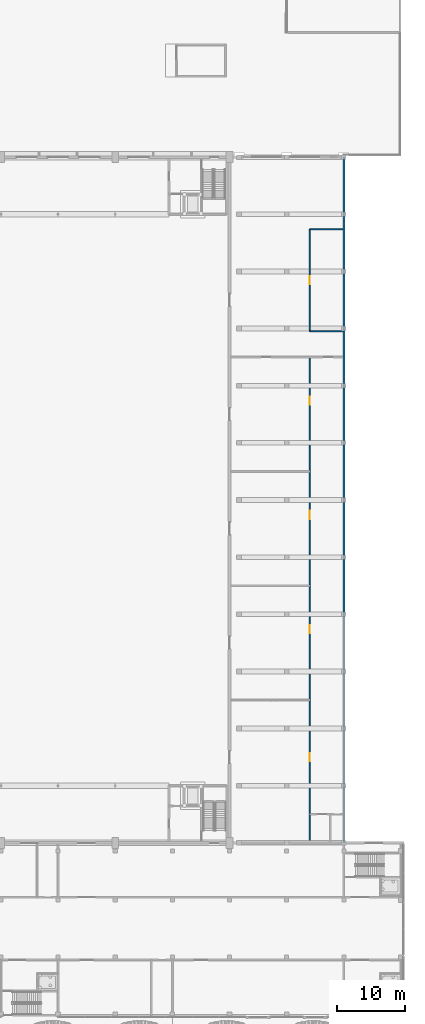
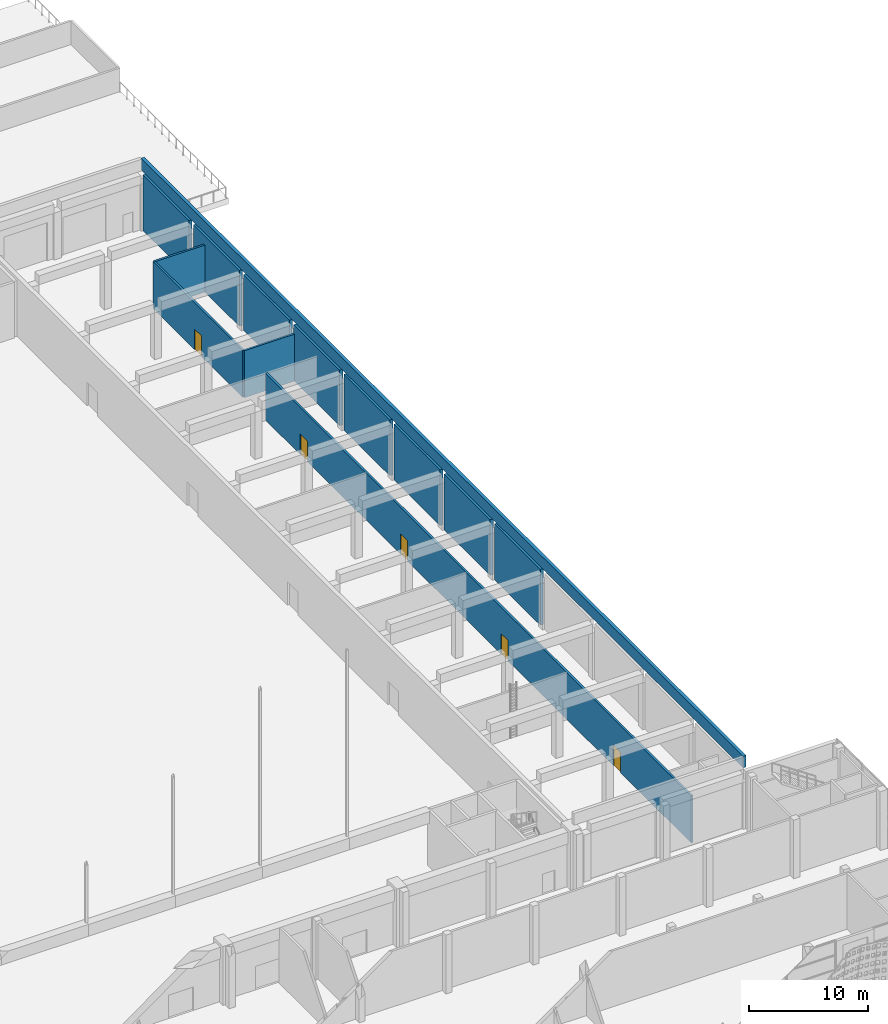
# One storey, part 125 of 210: 13 walls, 5 doors, 5 openings.
"""IFC4 building model written with IfcOpenShell, lengths in metres."""

import ifcopenshell
import ifcopenshell.guid

model = None  # the IFC model being written
_history = None  # IfcOwnerHistory: only IFC2X3 demands one
_inside = {}  # id of a spatial element -> (the spatial element, [elements in it])
_under = {}  # id of a project, library or spatial element -> (it, [spatial elements below it])
_declared = {}  # id of a project -> (the project, [libraries it declares])
_typed = {}  # id of a type object -> (the type object, [elements of that type])
_made_of = {}  # id of a material, layer set ... -> (it, [elements and type objects made of it])


def new_model(schema):
    """Start an empty IFC model of exactly this schema.

    Asked for "IFC4X3", IfcOpenShell would pick the latest addendum, in which some entities
    have other attributes; the version numbers below select the first issue.
    IFC2X3 requires an IfcOwnerHistory on every rooted entity: one is made here for all.
    """
    global model, _history
    if schema == "IFC4X3":
        model = ifcopenshell.file(schema_version=(4, 3, 0, 0))
    else:
        model = ifcopenshell.file(schema=schema)
    _inside.clear()
    _under.clear()
    _declared.clear()
    _typed.clear()
    _made_of.clear()
    _history = None
    if model.schema == "IFC2X3":
        org = make("IfcOrganization", Name="unknown")
        user = make(
            "IfcPersonAndOrganization",
            ThePerson=make("IfcPerson", FamilyName="unknown"),
            TheOrganization=org,
        )
        app = make(
            "IfcApplication",
            ApplicationDeveloper=org,
            Version="unknown",
            ApplicationFullName="unknown",
            ApplicationIdentifier="unknown",
        )
        _history = make(
            "IfcOwnerHistory",
            OwningUser=user,
            OwningApplication=app,
            ChangeAction="ADDED",
            CreationDate=0,
        )
    return model


def make(cls, **values):
    """One entity of the class cls with the attributes given. An attribute that is None is left unset."""
    return model.create_entity(
        cls, **{name: value for name, value in values.items() if value is not None}
    )


def rooted(cls, **values):
    """An entity with a GlobalId (a new one), such as an element, a storey or a relation."""
    return make(cls, GlobalId=ifcopenshell.guid.new(), OwnerHistory=_history, **values)


def si_unit(unit_type, name, prefix=None):
    """IfcSIUnit, for example si_unit("LENGTHUNIT", "METRE", prefix="MILLI")."""
    return make("IfcSIUnit", UnitType=unit_type, Prefix=prefix, Name=name)


def assignment(units):
    """IfcUnitAssignment: the units of a project."""
    return None if units is None else make("IfcUnitAssignment", Units=units)


def point(xyz):
    """IfcCartesianPoint."""
    return None if xyz is None else make("IfcCartesianPoint", Coordinates=xyz)


def direction(xyz):
    """IfcDirection."""
    return None if xyz is None else make("IfcDirection", DirectionRatios=xyz)


def frame(location, z_axis=None, x_axis=None):
    """IfcAxis2Placement3D, a coordinate frame: its origin and axes. An axis left out is left unset."""
    return make(
        "IfcAxis2Placement3D",
        Location=point(location),
        Axis=direction(z_axis),
        RefDirection=direction(x_axis),
    )


def frame_2d(location, x_axis=None):
    """IfcAxis2Placement2D, a coordinate frame in the plane: its origin and x axis."""
    return make(
        "IfcAxis2Placement2D", Location=point(location), RefDirection=direction(x_axis)
    )


def origin():
    """The frame at (0, 0, 0) with its axes left unset."""
    return frame((0.0, 0.0, 0.0))


def place(relative_to, where):
    """IfcLocalPlacement: puts the frame where relative to a parent placement (None: the world)."""
    return make(
        "IfcLocalPlacement", PlacementRelTo=relative_to, RelativePlacement=where
    )


def context(
    kind, dimensions, precision=None, world=None, true_north=None, identifier=None
):
    """IfcGeometricRepresentationContext, for example the 3D "Model" context."""
    return make(
        "IfcGeometricRepresentationContext",
        ContextIdentifier=identifier,
        ContextType=kind,
        CoordinateSpaceDimension=dimensions,
        Precision=precision,
        WorldCoordinateSystem=world,
        TrueNorth=true_north,
    )


def subcontext(parent, identifier, kind, view, scale=None):
    """IfcGeometricRepresentationSubContext, for example "Body" below "Model"."""
    return make(
        "IfcGeometricRepresentationSubContext",
        ContextIdentifier=identifier,
        ContextType=kind,
        ParentContext=parent,
        TargetScale=scale,
        TargetView=view,
    )


def project(units=None, contexts=None):
    """IfcProject with its units and contexts."""
    return rooted(
        "IfcProject",
        Name="project",
        RepresentationContexts=contexts,
        UnitsInContext=assignment(units),
    )


def spatial(cls, under=None, at=None, **own):
    """A site, building, storey or space (cls), placed at a placement, below another one or the project."""
    s = rooted(cls, ObjectPlacement=at, **own)
    if under is not None:
        _under.setdefault(under.id(), (under, []))[1].append(s)
    return s


def profile(cls, at=None, kind="AREA", **sizes):
    """A parametric profile (cls). Its sizes go by their IFC names, for example OverallWidth=200.0."""
    return make(cls, ProfileType=kind, Position=at, **sizes)


def rectangle(**sizes):
    """IfcRectangleProfileDef."""
    return profile("IfcRectangleProfileDef", **sizes)


def extrude(swept, where, along, depth):
    """IfcExtrudedAreaSolid: the profile swept, set in the frame where, extruded along a direction by depth."""
    return make(
        "IfcExtrudedAreaSolid",
        SweptArea=swept,
        Position=where,
        ExtrudedDirection=direction(along),
        Depth=depth,
    )


def shape(context_of_items, identifier, shape_type, items):
    """IfcShapeRepresentation: the items that make up one representation, for example the "Body"."""
    return make(
        "IfcShapeRepresentation",
        ContextOfItems=context_of_items,
        RepresentationIdentifier=identifier,
        RepresentationType=shape_type,
        Items=items,
    )


def material(Name=None, Category=None):
    """IfcMaterial."""
    return make("IfcMaterial", Name=Name, Category=Category)


def layer(
    of_material, thickness, ventilated=None, Name=None, Category=None, Priority=None
):
    """IfcMaterialLayer: one layer of a wall or slab, of a material (None: an air gap)."""
    return make(
        "IfcMaterialLayer",
        Material=of_material,
        LayerThickness=thickness,
        IsVentilated=ventilated,
        Name=Name,
        Category=Category,
        Priority=Priority,
    )


def layer_set(layers, Name=None):
    """IfcMaterialLayerSet."""
    return make("IfcMaterialLayerSet", MaterialLayers=layers, LayerSetName=Name)


def made_of(thing, what):
    """Note that an element or type object is made of a material, layer set ...; save() writes the relation."""
    if what is not None:
        _made_of.setdefault(what.id(), (what, []))[1].append(thing)
    return thing


def type_object(cls, material=None, **own):
    """A type object (cls), such as IfcWallType, which elements share."""
    return made_of(rooted(cls, **own), material)


def element(
    cls,
    number,
    at=None,
    inside=None,
    cuts=None,
    type_object=None,
    material=None,
    context=None,
    identifier="Body",
    shape_type=None,
    held_by="IfcProductDefinitionShape",
    body=None,
    shapes=None,
    **own,
):
    """One element of the class cls, such as IfcWall. Its Tag is "e" and its number.

    at: its placement. inside: the storey or other place that contains it. cuts: it is an
    opening in that element (IfcRelVoidsElement). A single representation is given by context,
    identifier, shape_type and body (its items); several are given by shapes. held_by: the class
    of the entity that holds the representations. save() writes the other relations.
    """
    e = rooted(cls, Tag="e%d" % number, ObjectPlacement=at, **own)
    if body is not None:
        shapes = [shape(context, identifier, shape_type, body)]
    if shapes is not None:
        e.Representation = make(held_by, Representations=shapes)
    if inside is not None:
        _inside.setdefault(inside.id(), (inside, []))[1].append(e)
    if cuts is not None:
        rooted(
            "IfcRelVoidsElement", RelatingBuildingElement=cuts, RelatedOpeningElement=e
        )
    if type_object is not None:
        _typed.setdefault(type_object.id(), (type_object, []))[1].append(e)
    return made_of(e, material)


def fill(opening, filler):
    """IfcRelFillsElement: the door or window that sits in an opening."""
    return rooted(
        "IfcRelFillsElement",
        RelatingOpeningElement=opening,
        RelatedBuildingElement=filler,
    )


def aggregate(whole, parts):
    """IfcRelAggregates: a whole, such as a stair, and the parts it consists of."""
    return rooted("IfcRelAggregates", RelatingObject=whole, RelatedObjects=parts)


def save(model, path):
    """Write the relations noted so far, then the file.

    IfcRelAggregates (storeys below a building ...), IfcRelContainedInSpatialStructure (elements
    in a storey), IfcRelDefinesByType, IfcRelAssociatesMaterial and IfcRelDeclares: one each for
    every whole, place, type object, material and project.
    """
    for whole, parts in _under.values():
        aggregate(whole, parts)
    for where, things in _inside.values():
        rooted(
            "IfcRelContainedInSpatialStructure",
            RelatedElements=things,
            RelatingStructure=where,
        )
    for kind, things in _typed.values():
        rooted("IfcRelDefinesByType", RelatedObjects=things, RelatingType=kind)
    for what, things in _made_of.values():
        rooted("IfcRelAssociatesMaterial", RelatedObjects=things, RelatingMaterial=what)
    for by, libraries in _declared.values():
        rooted("IfcRelDeclares", RelatingContext=by, RelatedDefinitions=libraries)
    model.write(path)


model = new_model("IFC4")

# Units and contexts
model_context = context("Model", 3, precision=1e-05, world=origin(), true_north=direction((0.0, 1.0)))
body_context = subcontext(model_context, "Body", "Model", "MODEL_VIEW")
ifc_project = project(units=[si_unit("LENGTHUNIT", "METRE"), si_unit("AREAUNIT", "SQUARE_METRE"), si_unit("VOLUMEUNIT", "CUBIC_METRE"), si_unit("PLANEANGLEUNIT", "RADIAN"), si_unit("MASSUNIT", "GRAM", prefix="KILO")], contexts=[model_context])

# Site, building, storey
site_placement = place(None, origin())
site = spatial("IfcSite", under=ifc_project, at=site_placement, CompositionType="ELEMENT")
building_placement = place(site_placement, origin())
building = spatial("IfcBuilding", under=site, at=building_placement, Name="Rain Tree Exposition and Congress Centre", CompositionType="ELEMENT")
storey_placement = place(building_placement, origin())
storey = spatial("IfcBuildingStorey", under=building, at=storey_placement, Name="L00", CompositionType="ELEMENT", Elevation=0.0)

# Walls
ifc_material_1 = material(Name="Precast concrete C50/60", Category="concrete")
ifc_layer_1 = layer(ifc_material_1, 0.300048828125)
ifc_layer_set_1 = layer_set([ifc_layer_1], Name="Precast concrete C50/60")
wall_type_1 = type_object("IfcWallType", Name="Service block precast wall 300", PredefinedType="SOLIDWALL", material=ifc_layer_set_1)
wall_1_placement = place(storey_placement, frame((260.39990234375, 134.75, 0.0), z_axis=(0.0, 0.0, 1.0), x_axis=(0.0, 1.0, 0.0)))
element("IfcWall", 1, at=wall_1_placement, inside=storey, type_object=wall_type_1, Name="Service block east wall 5", PredefinedType="SOLIDWALL", context=body_context, shape_type="SweptSolid", body=[
    extrude(rectangle(XDim=7.699951171875, YDim=0.300048828125, at=frame_2d((3.85009765625, 0.0))), origin(), (0.0, 0.0, 1.0), 5.699951171875),
])
wall_2_placement = place(storey_placement, frame((260.39990234375, 143.14990234375, 0.0), z_axis=(0.0, 0.0, 1.0), x_axis=(0.0, 1.0, 0.0)))
element("IfcWall", 2, at=wall_2_placement, inside=storey, type_object=wall_type_1, Name="Service block east wall 6", PredefinedType="SOLIDWALL", context=body_context, shape_type="SweptSolid", body=[
    extrude(rectangle(XDim=7.7001953125, YDim=0.300048828125, at=frame_2d((3.85009765625, 0.0))), origin(), (0.0, 0.0, 1.0), 5.699951171875),
])
for number, where, z_axis, x_axis, name in (
    (3, (260.39990234375, 151.550048828125, 0.0), (0.0, 0.0, 1.0), (0.0, 1.0, 0.0), "Service block east wall 7"),
    (4, (260.39990234375, 159.949951171875, 0.0), (0.0, 0.0, 1.0), (0.0, 1.0, 0.0), "Service block east wall 8"),
    (5, (260.39990234375, 168.35009765625, 0.0), (0.0, 0.0, 1.0), (0.0, 1.0, 0.0), "Service block east wall 9"),
    (6, (260.39990234375, 176.75, 0.0), (0.0, 0.0, 1.0), (0.0, 1.0, 0.0), "Service block east wall 10"),
):
    element("IfcWall", number, at=place(storey_placement, frame(where, z_axis=z_axis, x_axis=x_axis)), inside=storey, type_object=wall_type_1, Name=name, PredefinedType="SOLIDWALL", context=body_context, shape_type="SweptSolid", body=[
        extrude(rectangle(XDim=7.699951171875, YDim=0.300048828125, at=frame_2d((3.85009765625, 0.0))), origin(), (0.0, 0.0, 1.0), 5.699951171875),
    ])
wall_3_placement = place(storey_placement, frame((260.39990234375, 185.14990234375, 0.0), z_axis=(0.0, 0.0, 1.0), x_axis=(0.0, 1.0, 0.0)))
element("IfcWall", 7, at=wall_3_placement, inside=storey, type_object=wall_type_1, Name="Service block east wall 11", PredefinedType="SOLIDWALL", context=body_context, shape_type="SweptSolid", body=[
    extrude(rectangle(XDim=7.7001953125, YDim=0.300048828125, at=frame_2d((3.85009765625, 0.0))), origin(), (0.0, 0.0, 1.0), 5.699951171875),
])
wall_4_placement = place(storey_placement, frame((260.39990234375, 193.550048828125, 0.0), z_axis=(0.0, 0.0, 1.0), x_axis=(0.0, 1.0, 0.0)))
element("IfcWall", 8, at=wall_4_placement, inside=storey, type_object=wall_type_1, Name="Service block east wall 12", PredefinedType="SOLIDWALL", context=body_context, shape_type="SweptSolid", body=[
    extrude(rectangle(XDim=7.699951171875, YDim=0.300048828125, at=frame_2d((3.85009765625, 0.0))), origin(), (0.0, 0.0, 1.0), 5.699951171875),
])

# Wall, openings, doors
ifc_material_2 = material(Name="Concrete C40/50", Category="concrete")
ifc_layer_2 = layer(ifc_material_2, 0.199951171875)
ifc_layer_set_2 = layer_set([ifc_layer_2], Name="Concrete C40/50")
wall_type_2 = type_object("IfcWallType", Name="Service partition wall 200", PredefinedType="PARTITIONING", material=ifc_layer_set_2)
wall_5_placement = place(storey_placement, frame((255.39990234375, 100.949951171875, 0.0), z_axis=(0.0, 0.0, 1.0), x_axis=(0.0, 1.0, 0.0)))
wall_5 = element("IfcWall", 9, at=wall_5_placement, inside=storey, type_object=wall_type_2, Name="Service corridor wall", PredefinedType="PARTITIONING", context=body_context, shape_type="SweptSolid", body=[
    extrude(rectangle(XDim=71.25, YDim=0.199951171875, at=frame_2d((35.625, 0.0))), origin(), (0.0, 0.0, 1.0), 4.800048828125),
])
opening_1_placement = place(wall_5_placement, frame((11.824951171875, 0.0, 0.0)))
opening_1 = element("IfcOpeningElement", 10, at=opening_1_placement, cuts=wall_5, Name="Opening DH255", PredefinedType="OPENING", context=body_context, shape_type="SweptSolid", body=[
    extrude(rectangle(XDim=1.199951171875, YDim=2.10009765625, at=frame_2d((0.60009765625, 1.050048828125))), frame((0.0, 0.10009765625, 0.0), z_axis=(0.0, -1.0, 0.0), x_axis=(1.0, 0.0, 0.0)), (0.0, 0.0, 1.0), 0.199951171875),
])
opening_2_placement = place(wall_5_placement, frame((30.64990234375, 0.0, 0.0)))
opening_2 = element("IfcOpeningElement", 11, at=opening_2_placement, cuts=wall_5, Name="Opening DH256", PredefinedType="OPENING", context=body_context, shape_type="SweptSolid", body=[
    extrude(rectangle(XDim=1.199951171875, YDim=2.10009765625, at=frame_2d((0.60009765625, 1.050048828125))), frame((0.0, 0.10009765625, 0.0), z_axis=(0.0, -1.0, 0.0), x_axis=(1.0, 0.0, 0.0)), (0.0, 0.0, 1.0), 0.199951171875),
])
opening_3_placement = place(wall_5_placement, frame((47.449951171875, 0.0, 0.0)))
opening_3 = element("IfcOpeningElement", 12, at=opening_3_placement, cuts=wall_5, Name="Opening DH257", PredefinedType="OPENING", context=body_context, shape_type="SweptSolid", body=[
    extrude(rectangle(XDim=1.199951171875, YDim=2.10009765625, at=frame_2d((0.60009765625, 1.050048828125))), frame((0.0, 0.10009765625, 0.0), z_axis=(0.0, -1.0, 0.0), x_axis=(1.0, 0.0, 0.0)), (0.0, 0.0, 1.0), 0.199951171875),
])
opening_4_placement = place(wall_5_placement, frame((64.25, 0.0, 0.0)))
opening_4 = element("IfcOpeningElement", 13, at=opening_4_placement, cuts=wall_5, Name="Opening DH258", PredefinedType="OPENING", context=body_context, shape_type="SweptSolid", body=[
    extrude(rectangle(XDim=1.199951171875, YDim=2.10009765625, at=frame_2d((0.60009765625, 1.050048828125))), frame((0.0, 0.10009765625, 0.0), z_axis=(0.0, -1.0, 0.0), x_axis=(1.0, 0.0, 0.0)), (0.0, 0.0, 1.0), 0.199951171875),
])
ifc_material_3 = material(Name="Painted steel fire door", Category="steel")
door_type_1 = type_object("IfcDoorType", Name="Kitchen fire door 1200x2100", OperationType="NOTDEFINED", PredefinedType="DOOR", material=ifc_material_3)
door_1_placement = place(opening_4_placement, origin())
door_1 = element("IfcDoor", 14, at=door_1_placement, inside=storey, type_object=door_type_1, Name="Door DH258", OperationType="SINGLE_SWING_RIGHT", OverallHeight=2.10009765625, OverallWidth=1.199951171875, PredefinedType="DOOR", context=body_context, shape_type="SweptSolid", body=[
    extrude(rectangle(XDim=1.199951171875, YDim=2.10009765625, at=frame_2d((0.60009765625, 1.050048828125))), frame((0.0, 0.02490234375, 0.0), z_axis=(0.0, -1.0, 0.0), x_axis=(1.0, 0.0, 0.0)), (0.0, 0.0, 1.0), 0.050048828125),
])
fill(opening_4, door_1)
ifc_material_4 = material(Name="Painted steel fire door", Category="steel")
door_type_2 = type_object("IfcDoorType", Name="Plant room fire door 1200x2100", OperationType="NOTDEFINED", PredefinedType="DOOR", material=ifc_material_4)
door_2_placement = place(opening_1_placement, origin())
door_2 = element("IfcDoor", 15, at=door_2_placement, inside=storey, type_object=door_type_2, Name="Door DH255", OperationType="SINGLE_SWING_LEFT", OverallHeight=2.10009765625, OverallWidth=1.199951171875, PredefinedType="DOOR", context=body_context, shape_type="SweptSolid", body=[
    extrude(rectangle(XDim=1.199951171875, YDim=2.10009765625, at=frame_2d((0.60009765625, 1.050048828125))), frame((0.0, 0.02490234375, 0.0), z_axis=(0.0, -1.0, 0.0), x_axis=(1.0, 0.0, 0.0)), (0.0, 0.0, 1.0), 0.050048828125),
])
fill(opening_1, door_2)
ifc_material_5 = material(Name="Painted steel door", Category="steel")
door_type_3 = type_object("IfcDoorType", Name="Single leaf door 1200x2100", OperationType="NOTDEFINED", PredefinedType="DOOR", material=ifc_material_5)
door_3_placement = place(opening_2_placement, origin())
door_3 = element("IfcDoor", 16, at=door_3_placement, inside=storey, type_object=door_type_3, Name="Door DH256", OperationType="SINGLE_SWING_LEFT", OverallHeight=2.10009765625, OverallWidth=1.199951171875, PredefinedType="DOOR", context=body_context, shape_type="SweptSolid", body=[
    extrude(rectangle(XDim=1.199951171875, YDim=2.10009765625, at=frame_2d((0.60009765625, 1.050048828125))), frame((0.0, 0.02490234375, 0.0), z_axis=(0.0, -1.0, 0.0), x_axis=(1.0, 0.0, 0.0)), (0.0, 0.0, 1.0), 0.050048828125),
])
fill(opening_2, door_3)
door_4_placement = place(opening_3_placement, origin())
door_4 = element("IfcDoor", 17, at=door_4_placement, inside=storey, type_object=door_type_3, Name="Door DH257", OperationType="SINGLE_SWING_RIGHT", OverallHeight=2.10009765625, OverallWidth=1.199951171875, PredefinedType="DOOR", context=body_context, shape_type="SweptSolid", body=[
    extrude(rectangle(XDim=1.199951171875, YDim=2.10009765625, at=frame_2d((0.60009765625, 1.050048828125))), frame((0.0, 0.02490234375, 0.0), z_axis=(0.0, -1.0, 0.0), x_axis=(1.0, 0.0, 0.0)), (0.0, 0.0, 1.0), 0.050048828125),
])
fill(opening_3, door_4)

# Wall, opening, door
wall_6_placement = place(storey_placement, frame((255.39990234375, 176.0, 0.0), z_axis=(0.0, 0.0, 1.0), x_axis=(0.0, 1.0, 0.0)))
wall_6 = element("IfcWall", 18, at=wall_6_placement, inside=storey, type_object=wall_type_2, Name="Refuse store wall", PredefinedType="PARTITIONING", context=body_context, shape_type="SweptSolid", body=[
    extrude(rectangle(XDim=15.0, YDim=0.199951171875, at=frame_2d((7.5, 0.0))), origin(), (0.0, 0.0, 1.0), 4.800048828125),
])
opening_5_placement = place(wall_6_placement, frame((6.89990234375, 0.0, 0.0)))
opening_5 = element("IfcOpeningElement", 19, at=opening_5_placement, cuts=wall_6, Name="Opening DH263", PredefinedType="OPENING", context=body_context, shape_type="SweptSolid", body=[
    extrude(rectangle(XDim=1.199951171875, YDim=2.10009765625, at=frame_2d((0.60009765625, 1.050048828125))), frame((0.0, 0.10009765625, 0.0), z_axis=(0.0, -1.0, 0.0), x_axis=(1.0, 0.0, 0.0)), (0.0, 0.0, 1.0), 0.199951171875),
])
door_5_placement = place(opening_5_placement, origin())
door_5 = element("IfcDoor", 20, at=door_5_placement, inside=storey, type_object=door_type_3, Name="Door DH263", OperationType="SINGLE_SWING_RIGHT", OverallHeight=2.10009765625, OverallWidth=1.199951171875, PredefinedType="DOOR", context=body_context, shape_type="SweptSolid", body=[
    extrude(rectangle(XDim=1.199951171875, YDim=2.10009765625, at=frame_2d((0.60009765625, 1.050048828125))), frame((0.0, 0.02490234375, 0.0), z_axis=(0.0, -1.0, 0.0), x_axis=(1.0, 0.0, 0.0)), (0.0, 0.0, 1.0), 0.050048828125),
])
fill(opening_5, door_5)

# Walls
for number, where, z_axis, x_axis, name in (
    (21, (255.39990234375, 176.0, 0.0), (0.0, 0.0, 1.0), (1.0, 0.0, 0.0), "Refuse store wall"),
    (22, (255.39990234375, 191.0, 0.0), (0.0, 0.0, 1.0), (1.0, 0.0, 0.0), "Refuse store wall"),
):
    element("IfcWall", number, at=place(storey_placement, frame(where, z_axis=z_axis, x_axis=x_axis)), inside=storey, type_object=wall_type_2, Name=name, PredefinedType="PARTITIONING", context=body_context, shape_type="SweptSolid", body=[
        extrude(rectangle(XDim=4.85009765625, YDim=0.199951171875, at=frame_2d((2.425048828125, 0.0))), origin(), (0.0, 0.0, 1.0), 4.800048828125),
    ])
ifc_material_6 = material(Name="Precast concrete C50/60", Category="concrete")
ifc_layer_3 = layer(ifc_material_6, 0.300048828125)
ifc_layer_set_3 = layer_set([ifc_layer_3], Name="Precast concrete C50/60")
wall_type_3 = type_object("IfcWallType", Name="Service roof parapet 300", PredefinedType="PARAPET", material=ifc_layer_set_3)
wall_7_placement = place(storey_placement, frame((260.39990234375, 100.800048828125, 6.0), z_axis=(0.0, 0.0, 1.0), x_axis=(0.0, 1.0, 0.0)))
element("IfcWall", 23, at=wall_7_placement, inside=storey, type_object=wall_type_3, Name="Service roof parapet east", PredefinedType="PARAPET", context=body_context, shape_type="SweptSolid", body=[
    extrude(rectangle(XDim=100.800048828125, YDim=0.300048828125, at=frame_2d((50.39990234375, 0.0))), origin(), (0.0, 0.0, 1.0), 1.199951171875),
])

save(model, "model.ifc")
